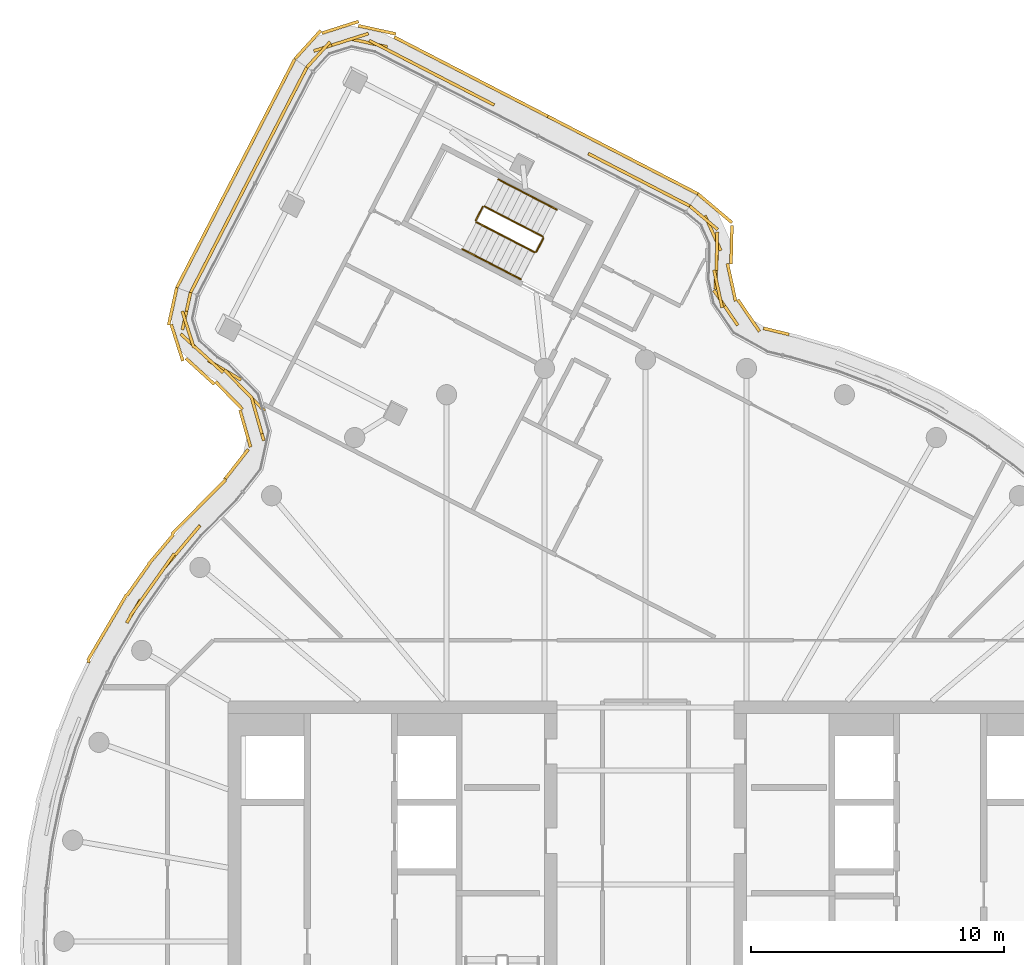
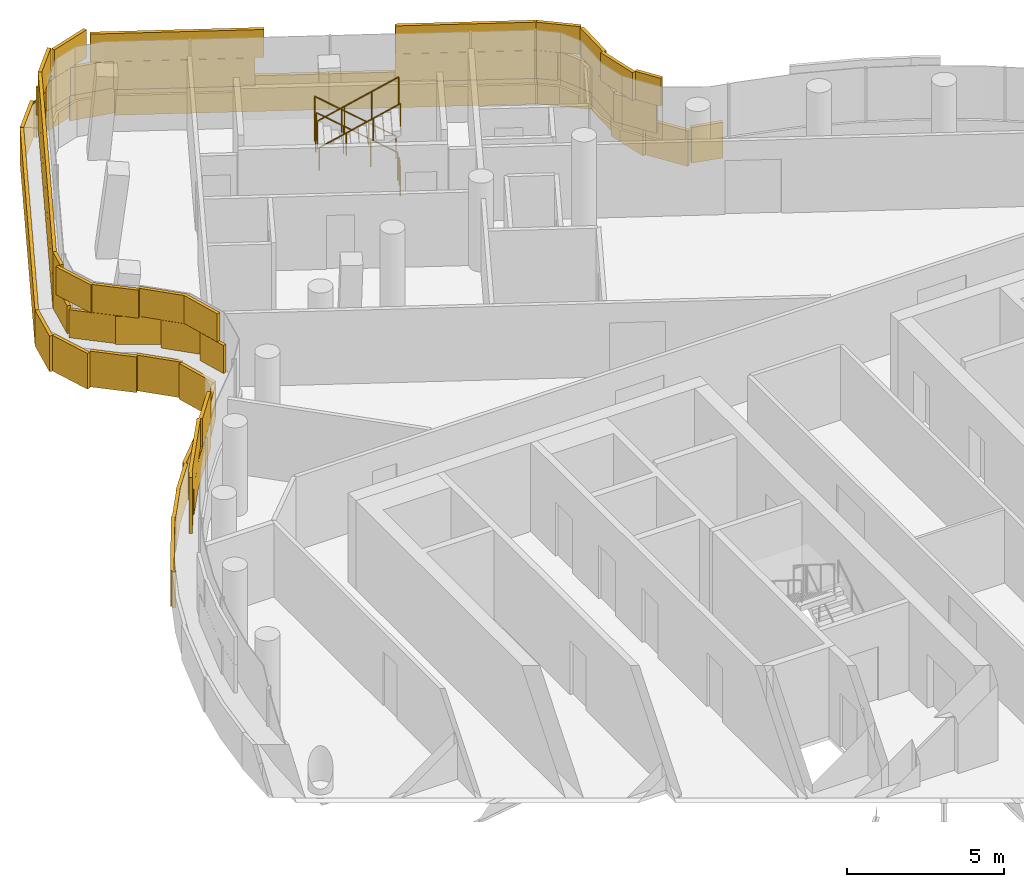
# One storey, part 19 of 21: 6 coverings, 6 railings.
"""IFC4 building model written with IfcOpenShell, lengths in metres."""

from ifc_helpers import new_model, si_unit, direction, frame, origin, origin_2d, place, context, subcontext, project, spatial, rectangle, circle, extrude, material, layer, layer_set, type_object, element, save


model = new_model("IFC4")

# Units and contexts
model_context = context("Model", 3, precision=1e-05, world=origin(), true_north=direction((0.0, 1.0)))
body_context = subcontext(model_context, "Body", "Model", "MODEL_VIEW")
ifc_project = project(units=[si_unit("LENGTHUNIT", "METRE"), si_unit("AREAUNIT", "SQUARE_METRE"), si_unit("VOLUMEUNIT", "CUBIC_METRE"), si_unit("PLANEANGLEUNIT", "RADIAN"), si_unit("MASSUNIT", "GRAM", prefix="KILO")], contexts=[model_context])

# Site, building, storey
site_placement = place(None, origin())
site = spatial("IfcSite", under=ifc_project, at=site_placement, CompositionType="ELEMENT")
building_placement = place(site_placement, origin())
building = spatial("IfcBuilding", under=site, at=building_placement, Name="Tamarind Cross Interchange Tower", CompositionType="ELEMENT")
storey_placement = place(building_placement, frame((0.0, 0.0, 260.39990234375)))
storey = spatial("IfcBuildingStorey", under=building, at=storey_placement, Name="L66", CompositionType="ELEMENT", Elevation=260.39990234375)

# Railings
ifc_material_1 = material(Name="Stair guard")
railing_type_1 = type_object("IfcRailingType", Name="Stair guard", PredefinedType="GUARDRAIL", material=ifc_material_1)
railing_1_placement = place(storey_placement, frame((-4.060546875, 27.8671875, 0.163818359375)))
element("IfcRailing", 1, at=railing_1_placement, inside=storey, type_object=railing_type_1, Name="L66 ST4 stair guard 1", PredefinedType="GUARDRAIL", context=body_context, shape_type="SweptSolid", body=[
    extrude(circle(Radius=0.02392578125, at=origin_2d()), frame((0.0, 0.0, 1.076171875), z_axis=(-0.752008290373, 0.388361462016, 0.532596381917), x_axis=(-0.458855767063, -0.888510768102, 0.0)), (0.0, 0.0, 1.0), 3.072265625),
    extrude(circle(Radius=0.02099609375, at=origin_2d()), origin(), (0.0, 0.0, 1.0), 1.052001953125),
    extrude(circle(Radius=0.02099609375, at=origin_2d()), frame((-0.77001953125, 0.397705078125, 0.54541015625)), (0.0, 0.0, 1.0), 1.052001953125),
    extrude(circle(Radius=0.02099609375, at=origin_2d()), frame((-1.540283203125, 0.79541015625, 1.0908203125)), (0.0, 0.0, 1.0), 1.052001953125),
    extrude(circle(Radius=0.02099609375, at=origin_2d()), frame((-2.310302734375, 1.193115234375, 1.63623046875)), (0.0, 0.0, 1.0), 1.052001953125),
])
railing_2_placement = place(storey_placement, frame((-6.43798828125, 29.038818359375, 1.800048828125)))
element("IfcRailing", 2, at=railing_2_placement, inside=storey, type_object=railing_type_1, Name="L66 ST4 stair guard 2", PredefinedType="GUARDRAIL", context=body_context, shape_type="SweptSolid", body=[
    extrude(circle(Radius=0.02392578125, at=origin_2d()), frame((0.0, 0.0, 1.076171875), z_axis=(-0.458891606152, -0.888492258719, 0.0), x_axis=(0.888492258719, -0.458891606152, 0.0)), (0.0, 0.0, 1.0), 0.60009765625),
    extrude(circle(Radius=0.02099609375, at=origin_2d()), origin(), (0.0, 0.0, 1.0), 1.052001953125),
    extrude(circle(Radius=0.02099609375, at=origin_2d()), frame((-0.275390625, -0.533203125, 0.0)), (0.0, 0.0, 1.0), 1.052001953125),
])
railing_3_placement = place(storey_placement, frame((-6.69189453125, 28.438232421875, 1.963623046875)))
element("IfcRailing", 3, at=railing_3_placement, inside=storey, type_object=railing_type_1, Name="L66 ST4 stair guard 3", PredefinedType="GUARDRAIL", context=body_context, shape_type="SweptSolid", body=[
    extrude(circle(Radius=0.02392578125, at=origin_2d()), frame((0.0, 0.0, 1.076171875), z_axis=(0.751965134791, -0.388300744936, 0.532701574562), x_axis=(0.458819918158, 0.888529280723, 0.0)), (0.0, 0.0, 1.0), 3.072021484375),
    extrude(circle(Radius=0.02099609375, at=origin_2d()), origin(), (0.0, 0.0, 1.0), 1.052001953125),
    extrude(circle(Radius=0.02099609375, at=origin_2d()), frame((0.77001953125, -0.397705078125, 0.54541015625)), (0.0, 0.0, 1.0), 1.052001953125),
    extrude(circle(Radius=0.02099609375, at=origin_2d()), frame((1.5400390625, -0.795166015625, 1.091064453125)), (0.0, 0.0, 1.0), 1.052001953125),
    extrude(circle(Radius=0.02099609375, at=origin_2d()), frame((2.31005859375, -1.19287109375, 1.636474609375)), (0.0, 0.0, 1.0), 1.052001953125),
])
railing_4_placement = place(storey_placement, frame((-4.0390625, 27.7998046875, 0.0)))
element("IfcRailing", 4, at=railing_4_placement, inside=storey, type_object=railing_type_1, Name="L66 ST4 stair guard 4", PredefinedType="GUARDRAIL", context=body_context, shape_type="SweptSolid", body=[
    extrude(circle(Radius=0.02392578125, at=origin_2d()), frame((0.0, 0.0, 1.076171875), z_axis=(-0.45905752695, -0.888406543734, 0.0), x_axis=(0.888406543734, -0.45905752695, 0.0)), (0.0, 0.0, 1.0), 0.599853515625),
    extrude(circle(Radius=0.02099609375, at=origin_2d()), origin(), (0.0, 0.0, 1.0), 1.052001953125),
    extrude(circle(Radius=0.02099609375, at=origin_2d()), frame((-0.275390625, -0.532958984375, 0.0)), (0.0, 0.0, 1.0), 1.052001953125),
])
ifc_material_2 = material(Name="Stair handrail")
railing_type_2 = type_object("IfcRailingType", Name="Stair handrail", PredefinedType="HANDRAIL", material=ifc_material_2)
railing_5_placement = place(storey_placement, frame((-3.510009765625, 28.933349609375, 0.163818359375)))
element("IfcRailing", 5, at=railing_5_placement, inside=storey, type_object=railing_type_2, Name="L66 ST4 stair handrail 1", PredefinedType="HANDRAIL", context=body_context, shape_type="SweptSolid", body=[
    extrude(circle(Radius=0.02392578125, at=origin_2d()), frame((0.0, 0.0, 0.8759765625), z_axis=(-0.751973759621, 0.388384671662, 0.532628211475), x_axis=(-0.458894049902, -0.888490996558, 0.0)), (0.0, 0.0, 1.0), 3.072021484375),
    extrude(circle(Radius=0.02099609375, at=origin_2d()), origin(), (0.0, 0.0, 1.0), 0.851806640625),
    extrude(circle(Radius=0.02099609375, at=origin_2d()), frame((-0.77001953125, 0.397705078125, 0.54541015625)), (0.0, 0.0, 1.0), 0.851806640625),
    extrude(circle(Radius=0.02099609375, at=origin_2d()), frame((-1.5400390625, 0.79541015625, 1.0908203125)), (0.0, 0.0, 1.0), 0.851806640625),
    extrude(circle(Radius=0.02099609375, at=origin_2d()), frame((-2.31005859375, 1.193115234375, 1.63623046875)), (0.0, 0.0, 1.0), 0.851806640625),
])
railing_6_placement = place(storey_placement, frame((-7.242431640625, 27.3720703125, 1.963623046875)))
element("IfcRailing", 6, at=railing_6_placement, inside=storey, type_object=railing_type_2, Name="L66 ST4 stair handrail 2", PredefinedType="HANDRAIL", context=body_context, shape_type="SweptSolid", body=[
    extrude(circle(Radius=0.02392578125, at=origin_2d()), frame((0.0, 0.0, 0.8759765625), z_axis=(0.751941928538, -0.388368231322, 0.53268513496), x_axis=(0.458894049902, 0.888490996558, 0.0)), (0.0, 0.0, 1.0), 3.072021484375),
    extrude(circle(Radius=0.02099609375, at=origin_2d()), origin(), (0.0, 0.0, 1.0), 0.851806640625),
    extrude(circle(Radius=0.02099609375, at=origin_2d()), frame((0.77001953125, -0.397705078125, 0.54541015625)), (0.0, 0.0, 1.0), 0.851806640625),
    extrude(circle(Radius=0.02099609375, at=origin_2d()), frame((1.5400390625, -0.79541015625, 1.091064453125)), (0.0, 0.0, 1.0), 0.851806640625),
    extrude(circle(Radius=0.02099609375, at=origin_2d()), frame((2.31005859375, -1.193115234375, 1.636474609375)), (0.0, 0.0, 1.0), 0.851806640625),
])

# Coverings
ifc_material_3 = material(Name="Terracotta", Category="masonry")
ifc_layer = layer(ifc_material_3, 0.1201171875)
ifc_layer_set = layer_set([ifc_layer], Name="Terracotta")
covering_type = type_object("IfcCoveringType", Name="Terracotta baguette screen unit", PredefinedType="MOLDING", material=ifc_layer_set)
covering_1_placement = place(storey_placement, origin())
element("IfcCovering", 7, at=covering_1_placement, inside=storey, type_object=covering_type, Name="SCR-L66-00-00", PredefinedType="MOLDING", context=body_context, shape_type="SweptSolid", body=[
    extrude(rectangle(XDim=1.510009765625, YDim=0.1201171875, at=origin_2d()), frame((-13.736083984375, 33.889892578125, 1.404296875), z_axis=(0.0, 0.0, 1.0), x_axis=(-0.458835655982, -0.888521153828, 0.0)), (0.0, 0.0, 1.0), 1.092041015625),
    extrude(rectangle(XDim=1.52001953125, YDim=0.1201171875, at=origin_2d()), frame((-14.42431640625, 32.55712890625, 1.404296875), z_axis=(0.0, 0.0, 1.0), x_axis=(-0.458835655982, -0.888521153828, 0.0)), (0.0, 0.0, 1.0), 1.092041015625),
    extrude(rectangle(XDim=1.52001953125, YDim=0.1201171875, at=origin_2d()), frame((-15.11279296875, 31.224365234375, 1.404296875), z_axis=(0.0, 0.0, 1.0), x_axis=(-0.458835655982, -0.888521153828, 0.0)), (0.0, 0.0, 1.0), 1.092041015625),
    extrude(rectangle(XDim=1.52001953125, YDim=0.1201171875, at=origin_2d()), frame((-15.801025390625, 29.8916015625, 1.404296875), z_axis=(0.0, 0.0, 1.0), x_axis=(-0.458835655982, -0.888521153828, 0.0)), (0.0, 0.0, 1.0), 1.092041015625),
    extrude(rectangle(XDim=1.52001953125, YDim=0.1201171875, at=origin_2d()), frame((-16.4892578125, 28.558837890625, 1.404296875), z_axis=(0.0, 0.0, 1.0), x_axis=(-0.458835655982, -0.888521153828, 0.0)), (0.0, 0.0, 1.0), 1.092041015625),
    extrude(rectangle(XDim=1.52001953125, YDim=0.1201171875, at=origin_2d()), frame((-17.177490234375, 27.22607421875, 1.404296875), z_axis=(0.0, 0.0, 1.0), x_axis=(-0.458835655982, -0.888521153828, 0.0)), (0.0, 0.0, 1.0), 1.092041015625),
    extrude(rectangle(XDim=1.03369140625, YDim=0.1201171875, at=origin_2d()), frame((-17.75634765625, 26.10498046875, 1.404296875), z_axis=(0.0, 0.0, 1.0), x_axis=(-0.458835655982, -0.888521153828, 0.0)), (0.0, 0.0, 1.0), 1.092041015625),
    extrude(rectangle(XDim=0.760009765625, YDim=0.1201171875, at=origin_2d()), frame((-13.564208984375, 34.22314453125, 2.50390625), z_axis=(0.0, 0.0, 1.0), x_axis=(-0.458835655982, -0.888521153828, 0.0)), (0.0, 0.0, 1.0), 1.092041015625),
    extrude(rectangle(XDim=1.52001953125, YDim=0.1201171875, at=origin_2d()), frame((-14.080322265625, 33.2236328125, 2.50390625), z_axis=(0.0, 0.0, 1.0), x_axis=(-0.458835655982, -0.888521153828, 0.0)), (0.0, 0.0, 1.0), 1.092041015625),
    extrude(rectangle(XDim=1.52001953125, YDim=0.1201171875, at=origin_2d()), frame((-14.7685546875, 31.890869140625, 2.50390625), z_axis=(0.0, 0.0, 1.0), x_axis=(-0.458835655982, -0.888521153828, 0.0)), (0.0, 0.0, 1.0), 1.092041015625),
    extrude(rectangle(XDim=1.52001953125, YDim=0.1201171875, at=origin_2d()), frame((-15.456787109375, 30.55810546875, 2.50390625), z_axis=(0.0, 0.0, 1.0), x_axis=(-0.458835655982, -0.888521153828, 0.0)), (0.0, 0.0, 1.0), 1.092041015625),
    extrude(rectangle(XDim=1.52001953125, YDim=0.1201171875, at=origin_2d()), frame((-16.14501953125, 29.225341796875, 2.50390625), z_axis=(0.0, 0.0, 1.0), x_axis=(-0.458835655982, -0.888521153828, 0.0)), (0.0, 0.0, 1.0), 1.092041015625),
    extrude(rectangle(XDim=1.52001953125, YDim=0.1201171875, at=origin_2d()), frame((-16.833251953125, 27.892578125, 2.50390625), z_axis=(0.0, 0.0, 1.0), x_axis=(-0.458835655982, -0.888521153828, 0.0)), (0.0, 0.0, 1.0), 1.092041015625),
    extrude(rectangle(XDim=1.52001953125, YDim=0.1201171875, at=origin_2d()), frame((-17.521484375, 26.5595703125, 2.50390625), z_axis=(0.0, 0.0, 1.0), x_axis=(-0.458835655982, -0.888521153828, 0.0)), (0.0, 0.0, 1.0), 1.092041015625),
    extrude(rectangle(XDim=0.28369140625, YDim=0.1201171875, at=origin_2d()), frame((-17.928466796875, 25.771728515625, 2.50390625), z_axis=(0.0, 0.0, 1.0), x_axis=(-0.458835655982, -0.888521153828, 0.0)), (0.0, 0.0, 1.0), 1.092041015625),
    extrude(rectangle(XDim=1.510009765625, YDim=0.1201171875, at=origin_2d()), frame((-14.2138671875, 34.216064453125, 0.004150390625), z_axis=(0.0, 0.0, 1.0), x_axis=(-0.458835655982, -0.888521153828, 0.0)), (0.0, 0.0, 1.0), 1.39208984375),
    extrude(rectangle(XDim=1.52001953125, YDim=0.1201171875, at=origin_2d()), frame((-14.899658203125, 32.8876953125, 0.004150390625), z_axis=(0.0, 0.0, 1.0), x_axis=(-0.458835655982, -0.888521153828, 0.0)), (0.0, 0.0, 1.0), 1.39208984375),
    extrude(rectangle(XDim=1.52001953125, YDim=0.1201171875, at=origin_2d()), frame((-15.588134765625, 31.554931640625, 0.004150390625), z_axis=(0.0, 0.0, 1.0), x_axis=(-0.458835655982, -0.888521153828, 0.0)), (0.0, 0.0, 1.0), 1.39208984375),
    extrude(rectangle(XDim=1.52001953125, YDim=0.1201171875, at=origin_2d()), frame((-16.2763671875, 30.22216796875, 0.004150390625), z_axis=(0.0, 0.0, 1.0), x_axis=(-0.458835655982, -0.888521153828, 0.0)), (0.0, 0.0, 1.0), 1.39208984375),
    extrude(rectangle(XDim=1.52001953125, YDim=0.1201171875, at=origin_2d()), frame((-16.964599609375, 28.889404296875, 0.004150390625), z_axis=(0.0, 0.0, 1.0), x_axis=(-0.458835655982, -0.888521153828, 0.0)), (0.0, 0.0, 1.0), 1.39208984375),
    extrude(rectangle(XDim=1.52001953125, YDim=0.1201171875, at=origin_2d()), frame((-17.65283203125, 27.556640625, 0.004150390625), z_axis=(0.0, 0.0, 1.0), x_axis=(-0.458835655982, -0.888521153828, 0.0)), (0.0, 0.0, 1.0), 1.39208984375),
    extrude(rectangle(XDim=1.184814453125, YDim=0.1201171875, at=origin_2d()), frame((-18.26416015625, 26.372802734375, 0.004150390625), z_axis=(0.0, 0.0, 1.0), x_axis=(-0.458835655982, -0.888521153828, 0.0)), (0.0, 0.0, 1.0), 1.39208984375),
])
covering_2_placement = place(storey_placement, origin())
element("IfcCovering", 8, at=covering_2_placement, inside=storey, type_object=covering_type, Name="SCR-L66-01-00", PredefinedType="MOLDING", context=body_context, shape_type="SweptSolid", body=[
    extrude(rectangle(XDim=1.510009765625, YDim=0.1201171875, at=origin_2d()), frame((-18.151123046875, 24.917236328125, 1.404296875), z_axis=(0.0, 0.0, 1.0), x_axis=(-0.213235013548, -0.977000936027, 0.0)), (0.0, 0.0, 1.0), 1.092041015625),
    extrude(rectangle(XDim=1.52001953125, YDim=0.1201171875, at=origin_2d()), frame((-17.820068359375, 23.507080078125, 1.404296875), z_axis=(0.0, 0.0, 1.0), x_axis=(0.739490123347, -0.673167406722, 0.0)), (0.0, 0.0, 1.0), 1.092041015625),
    extrude(rectangle(XDim=1.52001953125, YDim=0.1201171875, at=origin_2d()), frame((-16.646484375, 22.584716796875, 1.404296875), z_axis=(0.0, 0.0, 1.0), x_axis=(0.861738510386, -0.507352677846, 0.0)), (0.0, 0.0, 1.0), 1.092041015625),
    extrude(rectangle(XDim=1.52001953125, YDim=0.1201171875, at=origin_2d()), frame((-15.596435546875, 21.513916015625, 1.404296875), z_axis=(0.0, 0.0, 1.0), x_axis=(0.699094380061, -0.715029403429, 0.0)), (0.0, 0.0, 1.0), 1.092041015625),
    extrude(rectangle(XDim=1.048095703125, YDim=0.1201171875, at=origin_2d()), frame((-15.236328125, 20.30078125, 1.404296875), z_axis=(0.0, 0.0, 1.0), x_axis=(0.273604177427, -0.96184237487, 0.0)), (0.0, 0.0, 1.0), 1.092041015625),
    extrude(rectangle(XDim=0.760009765625, YDim=0.1201171875, at=origin_2d()), frame((-18.0712890625, 25.28369140625, 2.50390625), z_axis=(0.0, 0.0, 1.0), x_axis=(-0.213235013548, -0.977000936027, 0.0)), (0.0, 0.0, 1.0), 1.092041015625),
    extrude(rectangle(XDim=1.52001953125, YDim=0.1201171875, at=origin_2d()), frame((-18.08935546875, 24.195068359375, 2.50390625), z_axis=(0.0, 0.0, 1.0), x_axis=(0.303833529305, -0.952725136894, 0.0)), (0.0, 0.0, 1.0), 1.092041015625),
    extrude(rectangle(XDim=1.52001953125, YDim=0.1201171875, at=origin_2d()), frame((-17.265380859375, 23.002197265625, 2.50390625), z_axis=(0.0, 0.0, 1.0), x_axis=(0.739490123347, -0.673167406722, 0.0)), (0.0, 0.0, 1.0), 1.092041015625),
    extrude(rectangle(XDim=1.52001953125, YDim=0.1201171875, at=origin_2d()), frame((-16.12060546875, 22.05029296875, 2.50390625), z_axis=(0.0, 0.0, 1.0), x_axis=(0.699094380061, -0.715029403429, 0.0)), (0.0, 0.0, 1.0), 1.092041015625),
    extrude(rectangle(XDim=1.52001953125, YDim=0.1201171875, at=origin_2d()), frame((-15.37841796875, 20.800048828125, 2.50390625), z_axis=(0.0, 0.0, 1.0), x_axis=(0.273604177427, -0.96184237487, 0.0)), (0.0, 0.0, 1.0), 1.092041015625),
    extrude(rectangle(XDim=1.510009765625, YDim=0.1201171875, at=origin_2d()), frame((-18.697021484375, 25.108642578125, 0.004150390625), z_axis=(0.0, 0.0, 1.0), x_axis=(-0.213235013548, -0.977000936027, 0.0)), (0.0, 0.0, 1.0), 1.39208984375),
    extrude(rectangle(XDim=1.52001953125, YDim=0.1201171875, at=origin_2d()), frame((-18.52490234375, 23.671142578125, 0.004150390625), z_axis=(0.0, 0.0, 1.0), x_axis=(0.303833529305, -0.952725136894, 0.0)), (0.0, 0.0, 1.0), 1.39208984375),
    extrude(rectangle(XDim=1.52001953125, YDim=0.1201171875, at=origin_2d()), frame((-17.608154296875, 22.537841796875, 0.004150390625), z_axis=(0.0, 0.0, 1.0), x_axis=(0.739490123347, -0.673167406722, 0.0)), (0.0, 0.0, 1.0), 1.39208984375),
    extrude(rectangle(XDim=1.52001953125, YDim=0.1201171875, at=origin_2d()), frame((-16.466064453125, 21.58251953125, 0.004150390625), z_axis=(0.0, 0.0, 1.0), x_axis=(0.699094380061, -0.715029403429, 0.0)), (0.0, 0.0, 1.0), 1.39208984375),
    extrude(rectangle(XDim=1.52001953125, YDim=0.1201171875, at=origin_2d()), frame((-15.8251953125, 20.273193359375, 0.004150390625), z_axis=(0.0, 0.0, 1.0), x_axis=(0.273604177427, -0.96184237487, 0.0)), (0.0, 0.0, 1.0), 1.39208984375),
    extrude(rectangle(XDim=1.47314453125, YDim=0.1201171875, at=origin_2d()), frame((-16.16064453125, 18.874755859375, 0.004150390625), z_axis=(0.0, 0.0, 1.0), x_axis=(-0.616508142296, -0.787348531771, 0.0)), (0.0, 0.0, 1.0), 1.39208984375),
])
covering_3_placement = place(storey_placement, origin())
element("IfcCovering", 9, at=covering_3_placement, inside=storey, type_object=covering_type, Name="SCR-L66-01-01", PredefinedType="MOLDING", context=body_context, shape_type="SweptSolid", body=[
    extrude(rectangle(XDim=0.771728515625, YDim=0.1201171875, at=origin_2d()), frame((-17.86279296875, 16.15087890625, 1.404296875), z_axis=(0.0, 0.0, 1.0), x_axis=(-0.643009266048, -0.765858396687, 0.0)), (0.0, 0.0, 1.0), 1.092041015625),
    extrude(rectangle(XDim=1.52001953125, YDim=0.1201171875, at=origin_2d()), frame((-18.58984375, 15.28466796875, 1.404296875), z_axis=(0.0, 0.0, 1.0), x_axis=(-0.643009266048, -0.765858396687, 0.0)), (0.0, 0.0, 1.0), 1.092041015625),
    extrude(rectangle(XDim=1.52001953125, YDim=0.1201171875, at=origin_2d()), frame((-19.505126953125, 14.097900390625, 1.404296875), z_axis=(0.0, 0.0, 1.0), x_axis=(-0.577568978284, -0.816341886298, 0.0)), (0.0, 0.0, 1.0), 1.092041015625),
    extrude(rectangle(XDim=1.069091796875, YDim=0.1201171875, at=origin_2d()), frame((-20.241455078125, 13.051513671875, 1.404296875), z_axis=(0.0, 0.0, 1.0), x_axis=(-0.508183308752, -0.861248933065, 0.0)), (0.0, 0.0, 1.0), 1.092041015625),
    extrude(rectangle(XDim=1.52001953125, YDim=0.1201171875, at=origin_2d()), frame((-18.107666015625, 15.859130859375, 2.50390625), z_axis=(0.0, 0.0, 1.0), x_axis=(-0.643009266048, -0.765858396687, 0.0)), (0.0, 0.0, 1.0), 1.092041015625),
    extrude(rectangle(XDim=1.52001953125, YDim=0.1201171875, at=origin_2d()), frame((-19.072021484375, 14.710205078125, 2.50390625), z_axis=(0.0, 0.0, 1.0), x_axis=(-0.577568978284, -0.816341886298, 0.0)), (0.0, 0.0, 1.0), 1.092041015625),
    extrude(rectangle(XDim=1.52001953125, YDim=0.1201171875, at=origin_2d()), frame((-19.938232421875, 13.48583984375, 2.50390625), z_axis=(0.0, 0.0, 1.0), x_axis=(-0.577568978284, -0.816341886298, 0.0)), (0.0, 0.0, 1.0), 1.092041015625),
    extrude(rectangle(XDim=0.319091796875, YDim=0.1201171875, at=origin_2d()), frame((-20.431884765625, 12.728759765625, 2.50390625), z_axis=(0.0, 0.0, 1.0), x_axis=(-0.508183308752, -0.861248933065, 0.0)), (0.0, 0.0, 1.0), 1.092041015625),
    extrude(rectangle(XDim=0.046875, YDim=0.1201171875, at=origin_2d()), frame((-16.629150390625, 18.2763671875, 0.004150390625), z_axis=(0.0, 0.0, 1.0), x_axis=(-0.616508142296, -0.787348531771, 0.0)), (0.0, 0.0, 1.0), 1.39208984375),
    extrude(rectangle(XDim=1.52001953125, YDim=0.1201171875, at=origin_2d()), frame((-17.138671875, 17.70947265625, 0.004150390625), z_axis=(0.0, 0.0, 1.0), x_axis=(-0.704057148523, -0.710143317658, 0.0)), (0.0, 0.0, 1.0), 1.39208984375),
    extrude(rectangle(XDim=1.52001953125, YDim=0.1201171875, at=origin_2d()), frame((-18.19482421875, 16.644287109375, 0.004150390625), z_axis=(0.0, 0.0, 1.0), x_axis=(-0.704057148523, -0.710143317658, 0.0)), (0.0, 0.0, 1.0), 1.39208984375),
    extrude(rectangle(XDim=1.52001953125, YDim=0.1201171875, at=origin_2d()), frame((-19.1611328125, 15.4970703125, 0.004150390625), z_axis=(0.0, 0.0, 1.0), x_axis=(-0.643009266048, -0.765858396687, 0.0)), (0.0, 0.0, 1.0), 1.39208984375),
    extrude(rectangle(XDim=1.52001953125, YDim=0.1201171875, at=origin_2d()), frame((-20.064453125, 14.30126953125, 0.004150390625), z_axis=(0.0, 0.0, 1.0), x_axis=(-0.577568978284, -0.816341886298, 0.0)), (0.0, 0.0, 1.0), 1.39208984375),
    extrude(rectangle(XDim=1.52001953125, YDim=0.1201171875, at=origin_2d()), frame((-20.903564453125, 13.05908203125, 0.004150390625), z_axis=(0.0, 0.0, 1.0), x_axis=(-0.508183308752, -0.861248933065, 0.0)), (0.0, 0.0, 1.0), 1.39208984375),
    extrude(rectangle(XDim=1.52001953125, YDim=0.1201171875, at=origin_2d()), frame((-21.665771484375, 11.76708984375, 0.004150390625), z_axis=(0.0, 0.0, 1.0), x_axis=(-0.508183308752, -0.861248933065, 0.0)), (0.0, 0.0, 1.0), 1.39208984375),
    extrude(rectangle(XDim=0.099365234375, YDim=0.1201171875, at=origin_2d()), frame((-22.02001953125, 11.061767578125, 0.004150390625), z_axis=(0.0, 0.0, 1.0), x_axis=(-0.435326231914, -0.900272776334, 0.0)), (0.0, 0.0, 1.0), 1.39208984375),
])
covering_4_placement = place(storey_placement, origin())
element("IfcCovering", 10, at=covering_4_placement, inside=storey, type_object=covering_type, Name="SCR-L66-01-15", PredefinedType="MOLDING", context=body_context, shape_type="SweptSolid", body=[
    extrude(rectangle(XDim=1.52001953125, YDim=0.1201171875, at=origin_2d()), frame((3.132080078125, 25.11376953125, 1.404296875), z_axis=(0.0, 0.0, 1.0), x_axis=(-0.562668682818, 0.82668249853, 0.0)), (0.0, 0.0, 1.0), 1.092041015625),
    extrude(rectangle(XDim=1.52001953125, YDim=0.1201171875, at=origin_2d()), frame((2.797119140625, 26.542236328125, 1.404296875), z_axis=(0.0, 0.0, 1.0), x_axis=(0.052066867758, 0.998643600731, 0.0)), (0.0, 0.0, 1.0), 1.092041015625),
    extrude(rectangle(XDim=1.52001953125, YDim=0.1201171875, at=origin_2d()), frame((2.663818359375, 28.00634765625, 1.404296875), z_axis=(0.0, 0.0, 1.0), x_axis=(-0.411194100424, 0.91154781102, 0.0)), (0.0, 0.0, 1.0), 1.092041015625),
    extrude(rectangle(XDim=0.70458984375, YDim=0.1201171875, at=origin_2d()), frame((2.01123046875, 28.854248046875, 1.404296875), z_axis=(0.0, 0.0, 1.0), x_axis=(-0.764755998826, 0.644319999891, 0.0)), (0.0, 0.0, 1.0), 1.092041015625),
    extrude(rectangle(XDim=0.922607421875, YDim=0.1201171875, at=origin_2d()), frame((3.388671875, 24.736328125, 2.50390625), z_axis=(0.0, 0.0, 1.0), x_axis=(-0.562668682818, 0.82668249853, 0.0)), (0.0, 0.0, 1.0), 1.092041015625),
    extrude(rectangle(XDim=1.52001953125, YDim=0.1201171875, at=origin_2d()), frame((2.869384765625, 25.80224609375, 2.50390625), z_axis=(0.0, 0.0, 1.0), x_axis=(-0.211993644202, 0.977271044705, 0.0)), (0.0, 0.0, 1.0), 1.092041015625),
    extrude(rectangle(XDim=1.52001953125, YDim=0.1201171875, at=origin_2d()), frame((2.820068359375, 27.291748046875, 2.50390625), z_axis=(0.0, 0.0, 1.0), x_axis=(0.023133194072, 0.999732391859, 0.0)), (0.0, 0.0, 1.0), 1.092041015625),
    extrude(rectangle(XDim=1.45458984375, YDim=0.1201171875, at=origin_2d()), frame((2.298095703125, 28.61279296875, 2.50390625), z_axis=(0.0, 0.0, 1.0), x_axis=(-0.764755998826, 0.644319999891, 0.0)), (0.0, 0.0, 1.0), 1.092041015625),
    extrude(rectangle(XDim=1.04248046875, YDim=0.1201171875, at=origin_2d()), frame((5.1689453125, 24.119140625, 0.004150390625), z_axis=(0.0, 0.0, 1.0), x_axis=(-0.972273709169, 0.233845749286, 0.0)), (0.0, 0.0, 1.0), 1.39208984375),
    extrude(rectangle(XDim=1.52001953125, YDim=0.1201171875, at=origin_2d()), frame((4.078125, 24.74365234375, 0.004150390625), z_axis=(0.0, 0.0, 1.0), x_axis=(-0.562668682818, 0.82668249853, 0.0)), (0.0, 0.0, 1.0), 1.39208984375),
    extrude(rectangle(XDim=1.52001953125, YDim=0.1201171875, at=origin_2d()), frame((3.40185546875, 26.0556640625, 0.004150390625), z_axis=(0.0, 0.0, 1.0), x_axis=(-0.211993644202, 0.977271044705, 0.0)), (0.0, 0.0, 1.0), 1.39208984375),
    extrude(rectangle(XDim=1.52001953125, YDim=0.1201171875, at=origin_2d()), frame((3.400146484375, 27.550048828125, 0.004150390625), z_axis=(0.0, 0.0, 1.0), x_axis=(0.023133194072, 0.999732391859, 0.0)), (0.0, 0.0, 1.0), 1.39208984375),
    extrude(rectangle(XDim=1.52001953125, YDim=0.1201171875, at=origin_2d()), frame((2.837890625, 28.908447265625, 0.004150390625), z_axis=(0.0, 0.0, 1.0), x_axis=(-0.764755998826, 0.644319999891, 0.0)), (0.0, 0.0, 1.0), 1.39208984375),
    extrude(rectangle(XDim=0.26904296875, YDim=0.1201171875, at=origin_2d()), frame((2.169189453125, 29.471923828125, 0.004150390625), z_axis=(0.0, 0.0, 1.0), x_axis=(-0.764755998826, 0.644319999891, 0.0)), (0.0, 0.0, 1.0), 1.39208984375),
])
covering_5_placement = place(storey_placement, origin())
element("IfcCovering", 11, at=covering_5_placement, inside=storey, type_object=covering_type, Name="SCR-L66-02-00", PredefinedType="MOLDING", context=body_context, shape_type="SweptSolid", body=[
    extrude(rectangle(XDim=1.510009765625, YDim=0.1201171875, at=origin_2d()), frame((1.0791015625, 29.42236328125, 1.404296875), z_axis=(0.0, 0.0, 1.0), x_axis=(-0.888521153828, 0.458835655982, 0.0)), (0.0, 0.0, 1.0), 1.092041015625),
    extrude(rectangle(XDim=1.52001953125, YDim=0.1201171875, at=origin_2d()), frame((-0.253662109375, 30.110595703125, 1.404296875), z_axis=(0.0, 0.0, 1.0), x_axis=(-0.888521153828, 0.458835655982, 0.0)), (0.0, 0.0, 1.0), 1.092041015625),
    extrude(rectangle(XDim=1.52001953125, YDim=0.1201171875, at=origin_2d()), frame((-1.58642578125, 30.798828125, 1.404296875), z_axis=(0.0, 0.0, 1.0), x_axis=(-0.888521153828, 0.458835655982, 0.0)), (0.0, 0.0, 1.0), 1.092041015625),
    extrude(rectangle(XDim=0.760009765625, YDim=0.1201171875, at=origin_2d()), frame((1.412353515625, 29.250244140625, 2.50390625), z_axis=(0.0, 0.0, 1.0), x_axis=(-0.888521153828, 0.458835655982, 0.0)), (0.0, 0.0, 1.0), 1.092041015625),
    extrude(rectangle(XDim=1.52001953125, YDim=0.1201171875, at=origin_2d()), frame((0.412841796875, 29.766357421875, 2.50390625), z_axis=(0.0, 0.0, 1.0), x_axis=(-0.888521153828, 0.458835655982, 0.0)), (0.0, 0.0, 1.0), 1.092041015625),
    extrude(rectangle(XDim=1.52001953125, YDim=0.1201171875, at=origin_2d()), frame((-0.919921875, 30.45458984375, 2.50390625), z_axis=(0.0, 0.0, 1.0), x_axis=(-0.888521153828, 0.458835655982, 0.0)), (0.0, 0.0, 1.0), 1.092041015625),
    extrude(rectangle(XDim=0.763671875, YDim=0.1201171875, at=origin_2d()), frame((-1.921142578125, 30.9716796875, 2.50390625), z_axis=(0.0, 0.0, 1.0), x_axis=(-0.888521153828, 0.458835655982, 0.0)), (0.0, 0.0, 1.0), 1.092041015625),
    extrude(rectangle(XDim=1.510009765625, YDim=0.1201171875, at=origin_2d()), frame((1.395263671875, 29.905029296875, 0.004150390625), z_axis=(0.0, 0.0, 1.0), x_axis=(-0.888521153828, 0.458835655982, 0.0)), (0.0, 0.0, 1.0), 1.39208984375),
    extrude(rectangle(XDim=1.52001953125, YDim=0.1201171875, at=origin_2d()), frame((0.06689453125, 30.591064453125, 0.004150390625), z_axis=(0.0, 0.0, 1.0), x_axis=(-0.888521153828, 0.458835655982, 0.0)), (0.0, 0.0, 1.0), 1.39208984375),
    extrude(rectangle(XDim=1.52001953125, YDim=0.1201171875, at=origin_2d()), frame((-1.265869140625, 31.279296875, 0.004150390625), z_axis=(0.0, 0.0, 1.0), x_axis=(-0.888521153828, 0.458835655982, 0.0)), (0.0, 0.0, 1.0), 1.39208984375),
    extrude(rectangle(XDim=1.52001953125, YDim=0.1201171875, at=origin_2d()), frame((-2.5986328125, 31.967529296875, 0.004150390625), z_axis=(0.0, 0.0, 1.0), x_axis=(-0.888521153828, 0.458835655982, 0.0)), (0.0, 0.0, 1.0), 1.39208984375),
    extrude(rectangle(XDim=0.68017578125, YDim=0.1201171875, at=origin_2d()), frame((-3.558349609375, 32.463134765625, 0.004150390625), z_axis=(0.0, 0.0, 1.0), x_axis=(-0.888521153828, 0.458835655982, 0.0)), (0.0, 0.0, 1.0), 1.39208984375),
])
covering_6_placement = place(storey_placement, origin())
element("IfcCovering", 12, at=covering_6_placement, inside=storey, type_object=covering_type, Name="SCR-L66-02-01", PredefinedType="MOLDING", context=body_context, shape_type="SweptSolid", body=[
    extrude(rectangle(XDim=1.52001953125, YDim=0.1201171875, at=origin_2d()), frame((-6.91748046875, 33.5517578125, 1.404296875), z_axis=(0.0, 0.0, 1.0), x_axis=(-0.888521153828, 0.458835655982, 0.0)), (0.0, 0.0, 1.0), 1.092041015625),
    extrude(rectangle(XDim=1.52001953125, YDim=0.1201171875, at=origin_2d()), frame((-8.250244140625, 34.239990234375, 1.404296875), z_axis=(0.0, 0.0, 1.0), x_axis=(-0.888521153828, 0.458835655982, 0.0)), (0.0, 0.0, 1.0), 1.092041015625),
    extrude(rectangle(XDim=1.52001953125, YDim=0.1201171875, at=origin_2d()), frame((-9.5830078125, 34.92822265625, 1.404296875), z_axis=(0.0, 0.0, 1.0), x_axis=(-0.888521153828, 0.458835655982, 0.0)), (0.0, 0.0, 1.0), 1.092041015625),
    extrude(rectangle(XDim=1.52001953125, YDim=0.1201171875, at=origin_2d()), frame((-10.947998046875, 35.527099609375, 1.404296875), z_axis=(0.0, 0.0, 1.0), x_axis=(-0.977000936027, 0.213235013548, 0.0)), (0.0, 0.0, 1.0), 1.092041015625),
    extrude(rectangle(XDim=1.52001953125, YDim=0.1201171875, at=origin_2d()), frame((-12.394287109375, 35.436767578125, 1.404296875), z_axis=(0.0, 0.0, 1.0), x_axis=(-0.952725136894, -0.303833529305, 0.0)), (0.0, 0.0, 1.0), 1.092041015625),
    extrude(rectangle(XDim=0.62158203125, YDim=0.1201171875, at=origin_2d()), frame((-13.186279296875, 34.782470703125, 1.404296875), z_axis=(0.0, 0.0, 1.0), x_axis=(-0.673167406722, -0.739490123347, 0.0)), (0.0, 0.0, 1.0), 1.092041015625),
    extrude(rectangle(XDim=1.056396484375, YDim=0.1201171875, at=origin_2d()), frame((-6.45263671875, 33.311767578125, 2.50390625), z_axis=(0.0, 0.0, 1.0), x_axis=(-0.888521153828, 0.458835655982, 0.0)), (0.0, 0.0, 1.0), 1.092041015625),
    extrude(rectangle(XDim=1.52001953125, YDim=0.1201171875, at=origin_2d()), frame((-7.583984375, 33.89599609375, 2.50390625), z_axis=(0.0, 0.0, 1.0), x_axis=(-0.888521153828, 0.458835655982, 0.0)), (0.0, 0.0, 1.0), 1.092041015625),
    extrude(rectangle(XDim=1.52001953125, YDim=0.1201171875, at=origin_2d()), frame((-8.916748046875, 34.584228515625, 2.50390625), z_axis=(0.0, 0.0, 1.0), x_axis=(-0.888521153828, 0.458835655982, 0.0)), (0.0, 0.0, 1.0), 1.092041015625),
    extrude(rectangle(XDim=1.52001953125, YDim=0.1201171875, at=origin_2d()), frame((-10.24951171875, 35.2724609375, 2.50390625), z_axis=(0.0, 0.0, 1.0), x_axis=(-0.888521153828, 0.458835655982, 0.0)), (0.0, 0.0, 1.0), 1.092041015625),
    extrude(rectangle(XDim=1.52001953125, YDim=0.1201171875, at=origin_2d()), frame((-11.6796875, 35.66455078125, 2.50390625), z_axis=(0.0, 0.0, 1.0), x_axis=(-0.952725136894, -0.303833529305, 0.0)), (0.0, 0.0, 1.0), 1.092041015625),
    extrude(rectangle(XDim=1.37158203125, YDim=0.1201171875, at=origin_2d()), frame((-12.933837890625, 35.059814453125, 2.50390625), z_axis=(0.0, 0.0, 1.0), x_axis=(-0.673167406722, -0.739490123347, 0.0)), (0.0, 0.0, 1.0), 1.092041015625),
    extrude(rectangle(XDim=0.83984375, YDim=0.1201171875, at=origin_2d()), frame((-4.233642578125, 32.811767578125, 0.004150390625), z_axis=(0.0, 0.0, 1.0), x_axis=(-0.888521153828, 0.458835655982, 0.0)), (0.0, 0.0, 1.0), 1.39208984375),
    extrude(rectangle(XDim=1.52001953125, YDim=0.1201171875, at=origin_2d()), frame((-5.26416015625, 33.343994140625, 0.004150390625), z_axis=(0.0, 0.0, 1.0), x_axis=(-0.888521153828, 0.458835655982, 0.0)), (0.0, 0.0, 1.0), 1.39208984375),
    extrude(rectangle(XDim=1.52001953125, YDim=0.1201171875, at=origin_2d()), frame((-6.596923828125, 34.0322265625, 0.004150390625), z_axis=(0.0, 0.0, 1.0), x_axis=(-0.888521153828, 0.458835655982, 0.0)), (0.0, 0.0, 1.0), 1.39208984375),
    extrude(rectangle(XDim=1.52001953125, YDim=0.1201171875, at=origin_2d()), frame((-7.9296875, 34.720458984375, 0.004150390625), z_axis=(0.0, 0.0, 1.0), x_axis=(-0.888521153828, 0.458835655982, 0.0)), (0.0, 0.0, 1.0), 1.39208984375),
    extrude(rectangle(XDim=1.52001953125, YDim=0.1201171875, at=origin_2d()), frame((-9.262451171875, 35.40869140625, 0.004150390625), z_axis=(0.0, 0.0, 1.0), x_axis=(-0.888521153828, 0.458835655982, 0.0)), (0.0, 0.0, 1.0), 1.39208984375),
    extrude(rectangle(XDim=1.52001953125, YDim=0.1201171875, at=origin_2d()), frame((-10.614990234375, 36.041748046875, 0.004150390625), z_axis=(0.0, 0.0, 1.0), x_axis=(-0.977000936027, 0.213235013548, 0.0)), (0.0, 0.0, 1.0), 1.39208984375),
    extrude(rectangle(XDim=1.52001953125, YDim=0.1201171875, at=origin_2d()), frame((-12.0703125, 36.142578125, 0.004150390625), z_axis=(0.0, 0.0, 1.0), x_axis=(-0.952725136894, -0.303833529305, 0.0)), (0.0, 0.0, 1.0), 1.39208984375),
    extrude(rectangle(XDim=1.52001953125, YDim=0.1201171875, at=origin_2d()), frame((-13.3505859375, 35.454833984375, 0.004150390625), z_axis=(0.0, 0.0, 1.0), x_axis=(-0.673167406722, -0.739490123347, 0.0)), (0.0, 0.0, 1.0), 1.39208984375),
])

save(model, "model.ifc")
